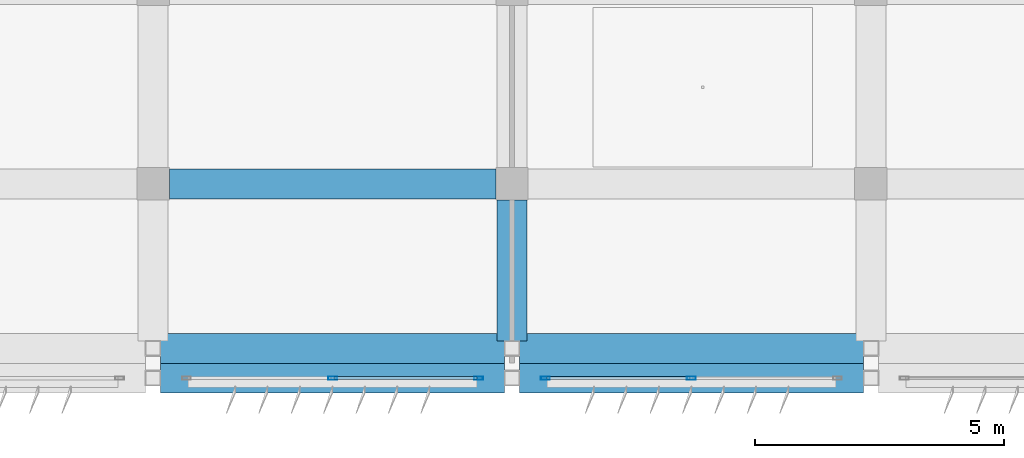
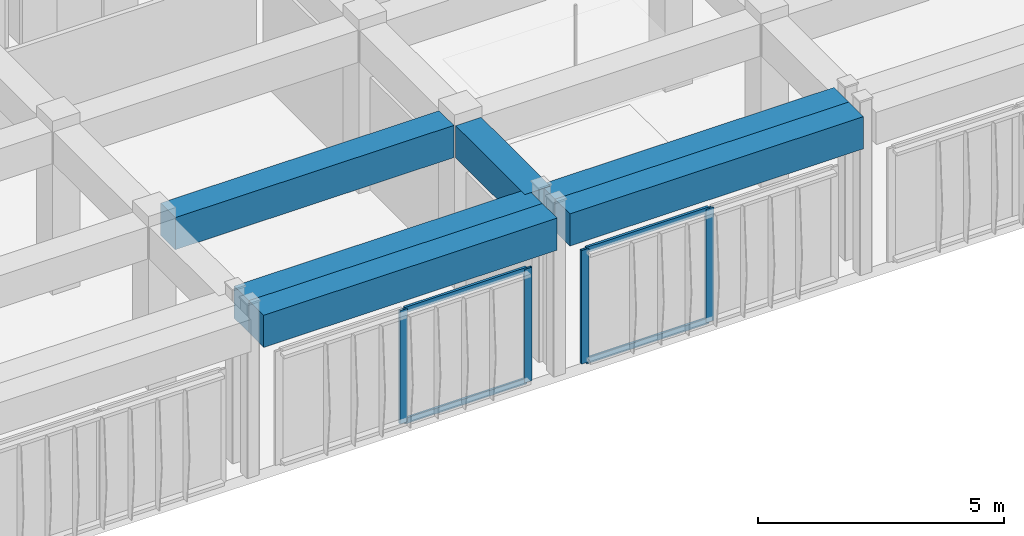
# One storey, part 15 of 42: 8 members, 6 beams, 2 elements without a shape of their own.
"""IFC4 building model written with IfcOpenShell, lengths in metres."""

import ifcopenshell
import ifcopenshell.guid

model = None  # the IFC model being written
_history = None  # IfcOwnerHistory: only IFC2X3 demands one
_inside = {}  # id of a spatial element -> (the spatial element, [elements in it])
_under = {}  # id of a project, library or spatial element -> (it, [spatial elements below it])
_declared = {}  # id of a project -> (the project, [libraries it declares])
_typed = {}  # id of a type object -> (the type object, [elements of that type])
_made_of = {}  # id of a material, layer set ... -> (it, [elements and type objects made of it])


def new_model(schema):
    """Start an empty IFC model of exactly this schema.

    Asked for "IFC4X3", IfcOpenShell would pick the latest addendum, in which some entities
    have other attributes; the version numbers below select the first issue.
    IFC2X3 requires an IfcOwnerHistory on every rooted entity: one is made here for all.
    """
    global model, _history
    if schema == "IFC4X3":
        model = ifcopenshell.file(schema_version=(4, 3, 0, 0))
    else:
        model = ifcopenshell.file(schema=schema)
    _inside.clear()
    _under.clear()
    _declared.clear()
    _typed.clear()
    _made_of.clear()
    _history = None
    if model.schema == "IFC2X3":
        org = make("IfcOrganization", Name="unknown")
        user = make(
            "IfcPersonAndOrganization",
            ThePerson=make("IfcPerson", FamilyName="unknown"),
            TheOrganization=org,
        )
        app = make(
            "IfcApplication",
            ApplicationDeveloper=org,
            Version="unknown",
            ApplicationFullName="unknown",
            ApplicationIdentifier="unknown",
        )
        _history = make(
            "IfcOwnerHistory",
            OwningUser=user,
            OwningApplication=app,
            ChangeAction="ADDED",
            CreationDate=0,
        )
    return model


def make(cls, **values):
    """One entity of the class cls with the attributes given. An attribute that is None is left unset."""
    return model.create_entity(
        cls, **{name: value for name, value in values.items() if value is not None}
    )


def rooted(cls, **values):
    """An entity with a GlobalId (a new one), such as an element, a storey or a relation."""
    return make(cls, GlobalId=ifcopenshell.guid.new(), OwnerHistory=_history, **values)


def si_unit(unit_type, name, prefix=None):
    """IfcSIUnit, for example si_unit("LENGTHUNIT", "METRE", prefix="MILLI")."""
    return make("IfcSIUnit", UnitType=unit_type, Prefix=prefix, Name=name)


def assignment(units):
    """IfcUnitAssignment: the units of a project."""
    return None if units is None else make("IfcUnitAssignment", Units=units)


def point(xyz):
    """IfcCartesianPoint."""
    return None if xyz is None else make("IfcCartesianPoint", Coordinates=xyz)


def direction(xyz):
    """IfcDirection."""
    return None if xyz is None else make("IfcDirection", DirectionRatios=xyz)


def frame(location, z_axis=None, x_axis=None):
    """IfcAxis2Placement3D, a coordinate frame: its origin and axes. An axis left out is left unset."""
    return make(
        "IfcAxis2Placement3D",
        Location=point(location),
        Axis=direction(z_axis),
        RefDirection=direction(x_axis),
    )


def frame_2d(location, x_axis=None):
    """IfcAxis2Placement2D, a coordinate frame in the plane: its origin and x axis."""
    return make(
        "IfcAxis2Placement2D", Location=point(location), RefDirection=direction(x_axis)
    )


def origin():
    """The frame at (0, 0, 0) with its axes left unset."""
    return frame((0.0, 0.0, 0.0))


def origin_2d():
    """The frame at (0, 0) in the plane with its x axis left unset."""
    return frame_2d((0.0, 0.0))


def place(relative_to, where):
    """IfcLocalPlacement: puts the frame where relative to a parent placement (None: the world)."""
    return make(
        "IfcLocalPlacement", PlacementRelTo=relative_to, RelativePlacement=where
    )


def context(
    kind, dimensions, precision=None, world=None, true_north=None, identifier=None
):
    """IfcGeometricRepresentationContext, for example the 3D "Model" context."""
    return make(
        "IfcGeometricRepresentationContext",
        ContextIdentifier=identifier,
        ContextType=kind,
        CoordinateSpaceDimension=dimensions,
        Precision=precision,
        WorldCoordinateSystem=world,
        TrueNorth=true_north,
    )


def subcontext(parent, identifier, kind, view, scale=None):
    """IfcGeometricRepresentationSubContext, for example "Body" below "Model"."""
    return make(
        "IfcGeometricRepresentationSubContext",
        ContextIdentifier=identifier,
        ContextType=kind,
        ParentContext=parent,
        TargetScale=scale,
        TargetView=view,
    )


def project(units=None, contexts=None):
    """IfcProject with its units and contexts."""
    return rooted(
        "IfcProject",
        Name="project",
        RepresentationContexts=contexts,
        UnitsInContext=assignment(units),
    )


def spatial(cls, under=None, at=None, **own):
    """A site, building, storey or space (cls), placed at a placement, below another one or the project."""
    s = rooted(cls, ObjectPlacement=at, **own)
    if under is not None:
        _under.setdefault(under.id(), (under, []))[1].append(s)
    return s


def profile(cls, at=None, kind="AREA", **sizes):
    """A parametric profile (cls). Its sizes go by their IFC names, for example OverallWidth=200.0."""
    return make(cls, ProfileType=kind, Position=at, **sizes)


def rectangle(**sizes):
    """IfcRectangleProfileDef."""
    return profile("IfcRectangleProfileDef", **sizes)


def hollow_rectangle(**sizes):
    """IfcRectangleHollowProfileDef."""
    return profile("IfcRectangleHollowProfileDef", **sizes)


def extrude(swept, where, along, depth):
    """IfcExtrudedAreaSolid: the profile swept, set in the frame where, extruded along a direction by depth."""
    return make(
        "IfcExtrudedAreaSolid",
        SweptArea=swept,
        Position=where,
        ExtrudedDirection=direction(along),
        Depth=depth,
    )


def shape(context_of_items, identifier, shape_type, items):
    """IfcShapeRepresentation: the items that make up one representation, for example the "Body"."""
    return make(
        "IfcShapeRepresentation",
        ContextOfItems=context_of_items,
        RepresentationIdentifier=identifier,
        RepresentationType=shape_type,
        Items=items,
    )


def material(Name=None, Category=None):
    """IfcMaterial."""
    return make("IfcMaterial", Name=Name, Category=Category)


def material_profile(
    of_material, cross_section, Name=None, Category=None, Priority=None
):
    """IfcMaterialProfile: a cross section and its material."""
    return make(
        "IfcMaterialProfile",
        Name=Name,
        Material=of_material,
        Profile=cross_section,
        Priority=Priority,
        Category=Category,
    )


def profile_set(profiles, Name=None, composite=None):
    """IfcMaterialProfileSet."""
    return make(
        "IfcMaterialProfileSet",
        Name=Name,
        MaterialProfiles=profiles,
        CompositeProfile=composite,
    )


def made_of(thing, what):
    """Note that an element or type object is made of a material, layer set ...; save() writes the relation."""
    if what is not None:
        _made_of.setdefault(what.id(), (what, []))[1].append(thing)
    return thing


def type_object(cls, material=None, **own):
    """A type object (cls), such as IfcWallType, which elements share."""
    return made_of(rooted(cls, **own), material)


def element(
    cls,
    number,
    at=None,
    inside=None,
    cuts=None,
    type_object=None,
    material=None,
    context=None,
    identifier="Body",
    shape_type=None,
    held_by="IfcProductDefinitionShape",
    body=None,
    shapes=None,
    **own,
):
    """One element of the class cls, such as IfcWall. Its Tag is "e" and its number.

    at: its placement. inside: the storey or other place that contains it. cuts: it is an
    opening in that element (IfcRelVoidsElement). A single representation is given by context,
    identifier, shape_type and body (its items); several are given by shapes. held_by: the class
    of the entity that holds the representations. save() writes the other relations.
    """
    e = rooted(cls, Tag="e%d" % number, ObjectPlacement=at, **own)
    if body is not None:
        shapes = [shape(context, identifier, shape_type, body)]
    if shapes is not None:
        e.Representation = make(held_by, Representations=shapes)
    if inside is not None:
        _inside.setdefault(inside.id(), (inside, []))[1].append(e)
    if cuts is not None:
        rooted(
            "IfcRelVoidsElement", RelatingBuildingElement=cuts, RelatedOpeningElement=e
        )
    if type_object is not None:
        _typed.setdefault(type_object.id(), (type_object, []))[1].append(e)
    return made_of(e, material)


def aggregate(whole, parts):
    """IfcRelAggregates: a whole, such as a stair, and the parts it consists of."""
    return rooted("IfcRelAggregates", RelatingObject=whole, RelatedObjects=parts)


def save(model, path):
    """Write the relations noted so far, then the file.

    IfcRelAggregates (storeys below a building ...), IfcRelContainedInSpatialStructure (elements
    in a storey), IfcRelDefinesByType, IfcRelAssociatesMaterial and IfcRelDeclares: one each for
    every whole, place, type object, material and project.
    """
    for whole, parts in _under.values():
        aggregate(whole, parts)
    for where, things in _inside.values():
        rooted(
            "IfcRelContainedInSpatialStructure",
            RelatedElements=things,
            RelatingStructure=where,
        )
    for kind, things in _typed.values():
        rooted("IfcRelDefinesByType", RelatedObjects=things, RelatingType=kind)
    for what, things in _made_of.values():
        rooted("IfcRelAssociatesMaterial", RelatedObjects=things, RelatingMaterial=what)
    for by, libraries in _declared.values():
        rooted("IfcRelDeclares", RelatingContext=by, RelatedDefinitions=libraries)
    model.write(path)


model = new_model("IFC4")

# Units and contexts
model_context = context("Model", 3, precision=1e-05, world=origin(), true_north=direction((0.0, 1.0)))
body_context = subcontext(model_context, "Body", "Model", "MODEL_VIEW")
ifc_project = project(units=[si_unit("LENGTHUNIT", "METRE"), si_unit("AREAUNIT", "SQUARE_METRE"), si_unit("VOLUMEUNIT", "CUBIC_METRE"), si_unit("PLANEANGLEUNIT", "RADIAN"), si_unit("MASSUNIT", "GRAM", prefix="KILO")], contexts=[model_context])

# Site, building, storey
site_placement = place(None, origin())
site = spatial("IfcSite", under=ifc_project, at=site_placement, CompositionType="ELEMENT")
building_placement = place(site_placement, origin())
building = spatial("IfcBuilding", under=site, at=building_placement, Name="Kazehaya Institute of Natural Sciences", CompositionType="ELEMENT")
storey_placement = place(building_placement, frame((0.0, 0.0, 37.6201171875)))
storey = spatial("IfcBuildingStorey", under=building, at=storey_placement, Name="L08", CompositionType="ELEMENT", Elevation=37.6201171875)

# Beams
ifc_material_1 = material(Name="Concrete Fc36", Category="concrete")
ifc_material_profile_1 = material_profile(ifc_material_1, rectangle(XDim=0.60009765625, YDim=0.800048828125, at=origin_2d()), Name="RC-600x800")
ifc_profile_set_1 = profile_set([ifc_material_profile_1], Name="Concrete Fc36")
beam_type = type_object("IfcBeamType", Name="BM-G-600x800", PredefinedType="BEAM", material=ifc_profile_set_1)
beam_1_placement = place(storey_placement, frame((90.75, 6.199951171875, 3.64990234375), z_axis=(1.0, 0.0, 0.0), x_axis=(0.0, 1.0, 0.0)))
element("IfcBeam", 1, at=beam_1_placement, inside=storey, type_object=beam_type, Name="L08 primary X girder BMX-L08-906-62", PredefinedType="BEAM", context=body_context, shape_type="SweptSolid", body=[
    extrude(rectangle(XDim=0.60009765625, YDim=0.800048828125, at=origin_2d()), origin(), (0.0, 0.0, 1.0), 6.89990234375),
])
beam_2_placement = place(storey_placement, frame((97.949951171875, 6.199951171875, 3.64990234375), z_axis=(1.0, 0.0, 0.0), x_axis=(0.0, 1.0, 0.0)))
element("IfcBeam", 2, at=beam_2_placement, inside=storey, type_object=beam_type, Name="L08 primary X girder BMX-L08-978-62", PredefinedType="BEAM", context=body_context, shape_type="SweptSolid", body=[
    extrude(rectangle(XDim=0.60009765625, YDim=0.800048828125, at=origin_2d()), origin(), (0.0, 0.0, 1.0), 6.900146484375),
])
beam_3_placement = place(storey_placement, frame((90.75, 6.800048828125, 3.64990234375), z_axis=(1.0, 0.0, 0.0), x_axis=(0.0, 1.0, 0.0)))
element("IfcBeam", 3, at=beam_3_placement, inside=storey, type_object=beam_type, Name="L08 primary X girder BMX-L08-906-68", PredefinedType="BEAM", context=body_context, shape_type="SweptSolid", body=[
    extrude(rectangle(XDim=0.60009765625, YDim=0.800048828125, at=origin_2d()), origin(), (0.0, 0.0, 1.0), 6.89990234375),
])
beam_4_placement = place(storey_placement, frame((97.949951171875, 6.800048828125, 3.64990234375), z_axis=(1.0, 0.0, 0.0), x_axis=(0.0, 1.0, 0.0)))
element("IfcBeam", 4, at=beam_4_placement, inside=storey, type_object=beam_type, Name="L08 primary X girder BMX-L08-978-68", PredefinedType="BEAM", context=body_context, shape_type="SweptSolid", body=[
    extrude(rectangle(XDim=0.60009765625, YDim=0.800048828125, at=origin_2d()), origin(), (0.0, 0.0, 1.0), 6.900146484375),
])
beam_5_placement = place(storey_placement, frame((90.925048828125, 10.10009765625, 3.64990234375), z_axis=(1.0, 0.0, 0.0), x_axis=(0.0, 1.0, 0.0)))
element("IfcBeam", 5, at=beam_5_placement, inside=storey, type_object=beam_type, Name="L08 primary X girder BMX-L08-906-101", PredefinedType="BEAM", context=body_context, shape_type="SweptSolid", body=[
    extrude(rectangle(XDim=0.60009765625, YDim=0.800048828125, at=origin_2d()), origin(), (0.0, 0.0, 1.0), 6.550048828125),
])
beam_6_placement = place(storey_placement, frame((97.800048828125, 6.949951171875, 3.64990234375), z_axis=(0.0, 1.0, 0.0), x_axis=(-1.0, 0.0, 0.0)))
element("IfcBeam", 6, at=beam_6_placement, inside=storey, type_object=beam_type, Name="L08 primary Y girder BMY-L08-978-68", PredefinedType="BEAM", context=body_context, shape_type="SweptSolid", body=[
    extrude(rectangle(XDim=0.60009765625, YDim=0.800048828125, at=origin_2d()), origin(), (0.0, 0.0, 1.0), 2.824951171875),
])

# Curtain wall, members
ifc_material_2 = material(Name="Aluminium alloy A6063S-T5", Category="aluminium")
curtain_wall_type = type_object("IfcCurtainWallType", Name="CW-SYS-05", PredefinedType="NOTDEFINED", material=ifc_material_2)
curtain_wall_1_placement = place(storey_placement, origin())
curtain_wall_1 = element("IfcCurtainWall", 7, at=curtain_wall_1_placement, inside=storey, type_object=curtain_wall_type, Name="L08 unitised curtain wall CW-L08-178", PredefinedType="NOTDEFINED")
ifc_material_profile_2 = material_profile(ifc_material_2, hollow_rectangle(XDim=0.06005859375, YDim=0.179931640625, WallThickness=0.00390625, at=origin_2d()), Name="ALU-60x180x4")
ifc_profile_set_2 = profile_set([ifc_material_profile_2], Name="Aluminium alloy A6063S-T5")
member_type_1 = type_object("IfcMemberType", Name="CWM-180", PredefinedType="MULLION", material=ifc_profile_set_2)
member_1_placement = place(storey_placement, frame((101.39990234375, 6.199951171875, 0.0), z_axis=(0.0, 0.0, 1.0), x_axis=(0.0, -1.0, 0.0)))
member_1 = element("IfcMember", 8, at=member_1_placement, type_object=member_type_1, Name="CW05 mullion 2", PredefinedType="MULLION", context=body_context, shape_type="SweptSolid", body=[
    extrude(hollow_rectangle(XDim=0.06005859375, YDim=0.179931640625, WallThickness=0.00390625, at=origin_2d()), origin(), (0.0, 0.0, 1.0), 2.81982421875),
])
member_2_placement = place(storey_placement, frame((98.469970703125, 6.199951171875, 0.0), z_axis=(0.0, 0.0, 1.0), x_axis=(0.0, -1.0, 0.0)))
member_2 = element("IfcMember", 9, at=member_2_placement, type_object=member_type_1, Name="CW05 mullion 3", PredefinedType="MULLION", context=body_context, shape_type="SweptSolid", body=[
    extrude(hollow_rectangle(XDim=0.06005859375, YDim=0.179931640625, WallThickness=0.00390625, at=origin_2d()), origin(), (0.0, 0.0, 1.0), 2.81982421875),
])

curtain_wall_2_placement = place(storey_placement, origin())
curtain_wall_2 = element("IfcCurtainWall", 10, at=curtain_wall_2_placement, inside=storey, type_object=curtain_wall_type, Name="L08 unitised curtain wall CW-L08-179", PredefinedType="NOTDEFINED")
member_3_placement = place(storey_placement, frame((97.1298828125, 6.199951171875, 0.0), z_axis=(0.0, 0.0, 1.0), x_axis=(0.0, -1.0, 0.0)))
member_3 = element("IfcMember", 11, at=member_3_placement, type_object=member_type_1, Name="CW05 mullion 1", PredefinedType="MULLION", context=body_context, shape_type="SweptSolid", body=[
    extrude(hollow_rectangle(XDim=0.06005859375, YDim=0.179931640625, WallThickness=0.00390625, at=origin_2d()), origin(), (0.0, 0.0, 1.0), 2.81982421875),
])
member_4_placement = place(storey_placement, frame((94.199951171875, 6.199951171875, 0.0), z_axis=(0.0, 0.0, 1.0), x_axis=(0.0, -1.0, 0.0)))
member_4 = element("IfcMember", 12, at=member_4_placement, type_object=member_type_1, Name="CW05 mullion 2", PredefinedType="MULLION", context=body_context, shape_type="SweptSolid", body=[
    extrude(hollow_rectangle(XDim=0.06005859375, YDim=0.179931640625, WallThickness=0.00390625, at=origin_2d()), origin(), (0.0, 0.0, 1.0), 2.81982421875),
])

# Member
ifc_material_profile_3 = material_profile(ifc_material_2, hollow_rectangle(XDim=0.06005859375, YDim=0.139892578125, WallThickness=0.00341796875, at=origin_2d()), Name="ALU-60x140x3.5")
ifc_profile_set_3 = profile_set([ifc_material_profile_3], Name="Aluminium alloy A6063S-T5")
member_type_2 = type_object("IfcMemberType", Name="CWT-140", PredefinedType="USERDEFINED", material=ifc_profile_set_3)
member_5_placement = place(storey_placement, frame((101.3701171875, 6.199951171875, 0.02978515625), z_axis=(-1.0, 0.0, 0.0), x_axis=(0.0, -1.0, 0.0)))
member_5 = element("IfcMember", 13, at=member_5_placement, type_object=member_type_2, Name="CW05 transom 2.1", ObjectType="TRANSOM", PredefinedType="USERDEFINED", context=body_context, shape_type="SweptSolid", body=[
    extrude(hollow_rectangle(XDim=0.06005859375, YDim=0.139892578125, WallThickness=0.00341796875, at=origin_2d()), origin(), (0.0, 0.0, 1.0), 2.8701171875),
])

member_6_placement = place(storey_placement, frame((101.3701171875, 6.199951171875, 2.789794921875), z_axis=(-1.0, 0.0, 0.0), x_axis=(0.0, -1.0, 0.0)))
member_6 = element("IfcMember", 14, at=member_6_placement, type_object=member_type_2, Name="CW05 transom 2.2", ObjectType="TRANSOM", PredefinedType="USERDEFINED", context=body_context, shape_type="SweptSolid", body=[
    extrude(hollow_rectangle(XDim=0.06005859375, YDim=0.139892578125, WallThickness=0.00341796875, at=origin_2d()), origin(), (0.0, 0.0, 1.0), 2.8701171875),
])

aggregate(curtain_wall_1, [member_1, member_2, member_5, member_6])

member_7_placement = place(storey_placement, frame((97.10009765625, 6.199951171875, 0.02978515625), z_axis=(-1.0, 0.0, 0.0), x_axis=(0.0, -1.0, 0.0)))
member_7 = element("IfcMember", 15, at=member_7_placement, type_object=member_type_2, Name="CW05 transom 1.1", ObjectType="TRANSOM", PredefinedType="USERDEFINED", context=body_context, shape_type="SweptSolid", body=[
    extrude(hollow_rectangle(XDim=0.06005859375, YDim=0.139892578125, WallThickness=0.00341796875, at=origin_2d()), origin(), (0.0, 0.0, 1.0), 2.8701171875),
])

member_8_placement = place(storey_placement, frame((97.10009765625, 6.199951171875, 2.789794921875), z_axis=(-1.0, 0.0, 0.0), x_axis=(0.0, -1.0, 0.0)))
member_8 = element("IfcMember", 16, at=member_8_placement, type_object=member_type_2, Name="CW05 transom 1.2", ObjectType="TRANSOM", PredefinedType="USERDEFINED", context=body_context, shape_type="SweptSolid", body=[
    extrude(hollow_rectangle(XDim=0.06005859375, YDim=0.139892578125, WallThickness=0.00341796875, at=origin_2d()), origin(), (0.0, 0.0, 1.0), 2.8701171875),
])

aggregate(curtain_wall_2, [member_3, member_4, member_7, member_8])

save(model, "model.ifc")
